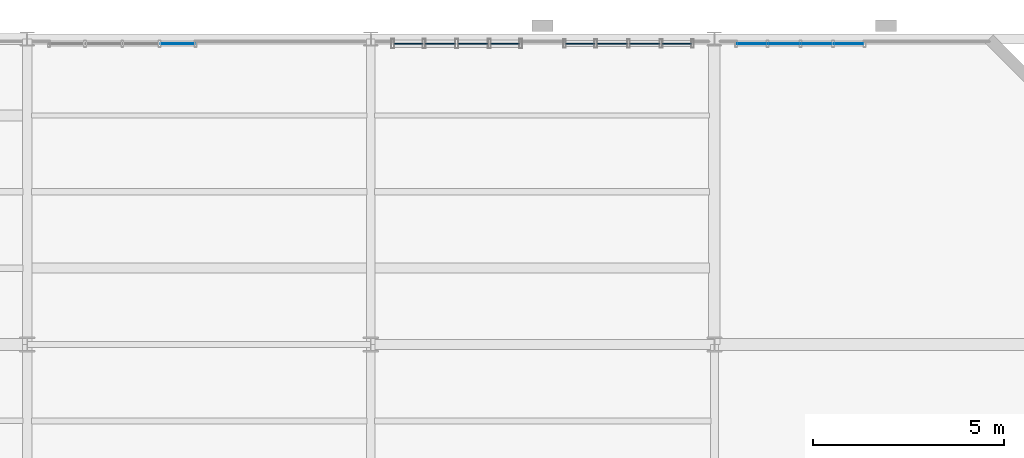
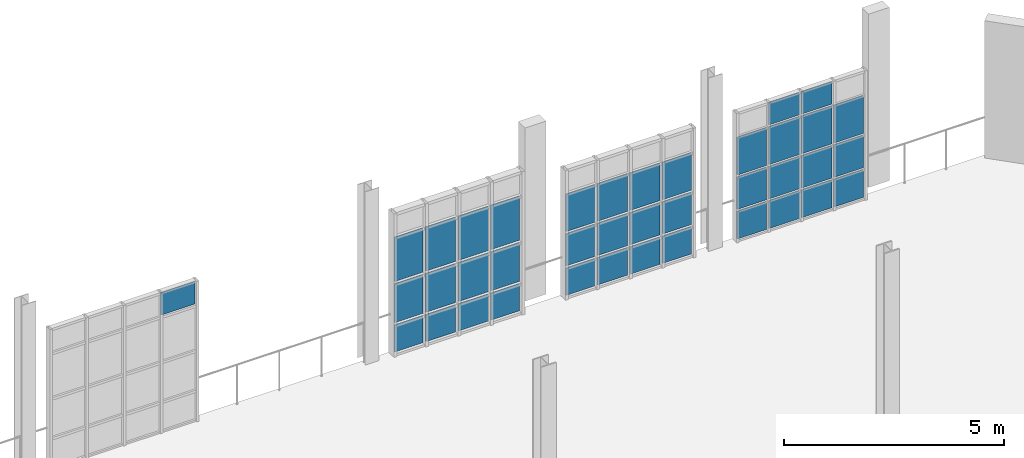
# One storey, part 90 of 122: 39 plates, 4 elements without a shape of their own.
"""IFC4 building model written with IfcOpenShell, lengths in metres."""

from ifc_helpers import new_model, si_unit, direction, frame, origin, origin_2d, place, context, subcontext, project, spatial, rectangle, extrude, material, layer, layer_set, type_object, element, aggregate, save


model = new_model("IFC4")

# Units and contexts
model_context = context("Model", 3, precision=1e-05, world=origin(), true_north=direction((0.0, 1.0)))
body_context = subcontext(model_context, "Body", "Model", "MODEL_VIEW")
ifc_project = project(units=[si_unit("LENGTHUNIT", "METRE"), si_unit("AREAUNIT", "SQUARE_METRE"), si_unit("VOLUMEUNIT", "CUBIC_METRE"), si_unit("PLANEANGLEUNIT", "RADIAN"), si_unit("MASSUNIT", "GRAM", prefix="KILO"), si_unit("THERMODYNAMICTEMPERATUREUNIT", "KELVIN"), si_unit("POWERUNIT", "WATT")], contexts=[model_context])

# Site, building, storey
site_placement = place(None, origin())
site = spatial("IfcSite", under=ifc_project, at=site_placement, CompositionType="ELEMENT")
building_placement = place(site_placement, origin())
building = spatial("IfcBuilding", under=site, at=building_placement, Name="Zelmaris Science Centre", CompositionType="ELEMENT")
storey_placement = place(building_placement, frame((0.0, 0.0, 10.800048828125)))
storey = spatial("IfcBuildingStorey", under=building, at=storey_placement, Name="L02", CompositionType="ELEMENT", Elevation=10.800048828125)

# Curtain wall, plates
ifc_material_1 = material(Name="Anodised architectural aluminium 6063-T6", Category="aluminium")
ifc_layer_1 = layer(ifc_material_1, 0.18994140625, Name="Anodised architectural aluminium 6063-T6")
ifc_layer_set_1 = layer_set([ifc_layer_1], Name="Anodised architectural aluminium 6063-T6")
curtain_wall_type_1 = type_object("IfcCurtainWallType", Name="Curtain Wall CW-01", PredefinedType="USERDEFINED", material=ifc_layer_set_1)
curtain_wall_1_placement = place(storey_placement, origin())
curtain_wall_1 = element("IfcCurtainWall", 1, at=curtain_wall_1_placement, inside=storey, type_object=curtain_wall_type_1, Name="L02 Unitised curtain wall 213", ObjectType="GLAZED CURTAIN WALL", PredefinedType="USERDEFINED")
ifc_material_2 = material(Name="Laminated hurricane-rated low-E insulated glazing", Category="glass")
ifc_layer_2 = layer(ifc_material_2, 0.031982421875, Name="Laminated hurricane-rated low-E insulated glazing")
ifc_layer_set_2 = layer_set([ifc_layer_2], Name="Laminated hurricane-rated low-E insulated glazing")
plate_type_1 = type_object("IfcPlateType", Name="Curtain Glazing Panel CWP-1 32mm", PredefinedType="CURTAIN_PANEL", material=ifc_layer_set_2)
plate_1_placement = place(storey_placement, frame((90.985595703125, 87.8798828125, 0.05712890625), z_axis=(0.0, 0.0, 1.0), x_axis=(1.0, 0.0, 0.0)))
plate_1 = element("IfcPlate", 2, at=plate_1_placement, type_object=plate_type_1, Name="CW-01 panel 1.1", PredefinedType="CURTAIN_PANEL", context=body_context, shape_type="SweptSolid", body=[
    extrude(rectangle(XDim=0.7470703125, YDim=0.031982421875, at=origin_2d()), origin(), (0.0, 0.0, 1.0), 0.741943359375),
])
plate_2_placement = place(storey_placement, frame((90.985595703125, 87.8798828125, 0.87109375), z_axis=(0.0, 0.0, 1.0), x_axis=(1.0, 0.0, 0.0)))
plate_2 = element("IfcPlate", 3, at=plate_2_placement, type_object=plate_type_1, Name="CW-01 panel 1.2", PredefinedType="CURTAIN_PANEL", context=body_context, shape_type="SweptSolid", body=[
    extrude(rectangle(XDim=0.7470703125, YDim=0.031982421875, at=origin_2d()), origin(), (0.0, 0.0, 1.0), 1.069091796875),
])
plate_3_placement = place(storey_placement, frame((90.985595703125, 87.8798828125, 2.01171875), z_axis=(0.0, 0.0, 1.0), x_axis=(1.0, 0.0, 0.0)))
plate_3 = element("IfcPlate", 4, at=plate_3_placement, type_object=plate_type_1, Name="CW-01 panel 1.3", PredefinedType="CURTAIN_PANEL", context=body_context, shape_type="SweptSolid", body=[
    extrude(rectangle(XDim=0.7470703125, YDim=0.031982421875, at=origin_2d()), origin(), (0.0, 0.0, 1.0), 1.218994140625),
])
plate_4_placement = place(storey_placement, frame((91.822509765625, 87.8798828125, 0.05712890625), z_axis=(0.0, 0.0, 1.0), x_axis=(1.0, 0.0, 0.0)))
plate_4 = element("IfcPlate", 5, at=plate_4_placement, type_object=plate_type_1, Name="CW-01 panel 2.1", PredefinedType="CURTAIN_PANEL", context=body_context, shape_type="SweptSolid", body=[
    extrude(rectangle(XDim=0.782958984375, YDim=0.031982421875, at=origin_2d()), origin(), (0.0, 0.0, 1.0), 0.741943359375),
])
plate_5_placement = place(storey_placement, frame((91.822509765625, 87.8798828125, 0.87109375), z_axis=(0.0, 0.0, 1.0), x_axis=(1.0, 0.0, 0.0)))
plate_5 = element("IfcPlate", 6, at=plate_5_placement, type_object=plate_type_1, Name="CW-01 panel 2.2", PredefinedType="CURTAIN_PANEL", context=body_context, shape_type="SweptSolid", body=[
    extrude(rectangle(XDim=0.782958984375, YDim=0.031982421875, at=origin_2d()), origin(), (0.0, 0.0, 1.0), 1.069091796875),
])
plate_6_placement = place(storey_placement, frame((91.822509765625, 87.8798828125, 2.01171875), z_axis=(0.0, 0.0, 1.0), x_axis=(1.0, 0.0, 0.0)))
plate_6 = element("IfcPlate", 7, at=plate_6_placement, type_object=plate_type_1, Name="CW-01 panel 2.3", PredefinedType="CURTAIN_PANEL", context=body_context, shape_type="SweptSolid", body=[
    extrude(rectangle(XDim=0.782958984375, YDim=0.031982421875, at=origin_2d()), origin(), (0.0, 0.0, 1.0), 1.218994140625),
])
plate_7_placement = place(storey_placement, frame((92.677490234375, 87.8798828125, 0.05712890625), z_axis=(0.0, 0.0, 1.0), x_axis=(1.0, 0.0, 0.0)))
plate_7 = element("IfcPlate", 8, at=plate_7_placement, type_object=plate_type_1, Name="CW-01 panel 3.1", PredefinedType="CURTAIN_PANEL", context=body_context, shape_type="SweptSolid", body=[
    extrude(rectangle(XDim=0.782958984375, YDim=0.031982421875, at=origin_2d()), origin(), (0.0, 0.0, 1.0), 0.741943359375),
])
plate_8_placement = place(storey_placement, frame((92.677490234375, 87.8798828125, 0.87109375), z_axis=(0.0, 0.0, 1.0), x_axis=(1.0, 0.0, 0.0)))
plate_8 = element("IfcPlate", 9, at=plate_8_placement, type_object=plate_type_1, Name="CW-01 panel 3.2", PredefinedType="CURTAIN_PANEL", context=body_context, shape_type="SweptSolid", body=[
    extrude(rectangle(XDim=0.782958984375, YDim=0.031982421875, at=origin_2d()), origin(), (0.0, 0.0, 1.0), 1.069091796875),
])
plate_9_placement = place(storey_placement, frame((92.677490234375, 87.8798828125, 2.01171875), z_axis=(0.0, 0.0, 1.0), x_axis=(1.0, 0.0, 0.0)))
plate_9 = element("IfcPlate", 10, at=plate_9_placement, type_object=plate_type_1, Name="CW-01 panel 3.3", PredefinedType="CURTAIN_PANEL", context=body_context, shape_type="SweptSolid", body=[
    extrude(rectangle(XDim=0.782958984375, YDim=0.031982421875, at=origin_2d()), origin(), (0.0, 0.0, 1.0), 1.218994140625),
])
plate_10_placement = place(storey_placement, frame((93.514404296875, 87.8798828125, 0.05712890625), z_axis=(0.0, 0.0, 1.0), x_axis=(1.0, 0.0, 0.0)))
plate_10 = element("IfcPlate", 11, at=plate_10_placement, type_object=plate_type_1, Name="CW-01 panel 4.1", PredefinedType="CURTAIN_PANEL", context=body_context, shape_type="SweptSolid", body=[
    extrude(rectangle(XDim=0.7470703125, YDim=0.031982421875, at=origin_2d()), origin(), (0.0, 0.0, 1.0), 0.741943359375),
])
plate_11_placement = place(storey_placement, frame((93.514404296875, 87.8798828125, 0.87109375), z_axis=(0.0, 0.0, 1.0), x_axis=(1.0, 0.0, 0.0)))
plate_11 = element("IfcPlate", 12, at=plate_11_placement, type_object=plate_type_1, Name="CW-01 panel 4.2", PredefinedType="CURTAIN_PANEL", context=body_context, shape_type="SweptSolid", body=[
    extrude(rectangle(XDim=0.7470703125, YDim=0.031982421875, at=origin_2d()), origin(), (0.0, 0.0, 1.0), 1.069091796875),
])
plate_12_placement = place(storey_placement, frame((93.514404296875, 87.8798828125, 2.01171875), z_axis=(0.0, 0.0, 1.0), x_axis=(1.0, 0.0, 0.0)))
plate_12 = element("IfcPlate", 13, at=plate_12_placement, type_object=plate_type_1, Name="CW-01 panel 4.3", PredefinedType="CURTAIN_PANEL", context=body_context, shape_type="SweptSolid", body=[
    extrude(rectangle(XDim=0.7470703125, YDim=0.031982421875, at=origin_2d()), origin(), (0.0, 0.0, 1.0), 1.218994140625),
])
aggregate(curtain_wall_1, [plate_1, plate_2, plate_3, plate_4, plate_5, plate_6, plate_7, plate_8, plate_9, plate_10, plate_11, plate_12])

ifc_layer_3 = layer(ifc_material_1, 0.199951171875, Name="Anodised architectural aluminium 6063-T6")
ifc_layer_set_3 = layer_set([ifc_layer_3], Name="Anodised architectural aluminium 6063-T6")
curtain_wall_type_2 = type_object("IfcCurtainWallType", Name="Curtain Wall CW-02", PredefinedType="USERDEFINED", material=ifc_layer_set_3)
curtain_wall_2_placement = place(storey_placement, origin())
curtain_wall_2 = element("IfcCurtainWall", 14, at=curtain_wall_2_placement, inside=storey, type_object=curtain_wall_type_2, Name="L02 Unitised curtain wall 214", ObjectType="GLAZED CURTAIN WALL", PredefinedType="USERDEFINED")
ifc_layer_4 = layer(ifc_material_2, 0.028076171875, Name="Laminated hurricane-rated low-E insulated glazing")
ifc_layer_set_4 = layer_set([ifc_layer_4], Name="Laminated hurricane-rated low-E insulated glazing")
plate_type_2 = type_object("IfcPlateType", Name="Curtain Glazing Panel CWP-2 28mm", PredefinedType="CURTAIN_PANEL", material=ifc_layer_set_4)
plate_13_placement = place(storey_placement, frame((95.484130859375, 87.8798828125, 0.052001953125), z_axis=(0.0, 0.0, 1.0), x_axis=(1.0, 0.0, 0.0)))
plate_13 = element("IfcPlate", 15, at=plate_13_placement, type_object=plate_type_2, Name="CW-02 panel 1.1", PredefinedType="CURTAIN_PANEL", context=body_context, shape_type="SweptSolid", body=[
    extrude(rectangle(XDim=0.75439453125, YDim=0.028076171875, at=origin_2d()), origin(), (0.0, 0.0, 1.0), 0.74951171875),
])
plate_14_placement = place(storey_placement, frame((95.484130859375, 87.8798828125, 0.86865234375), z_axis=(0.0, 0.0, 1.0), x_axis=(1.0, 0.0, 0.0)))
plate_14 = element("IfcPlate", 16, at=plate_14_placement, type_object=plate_type_2, Name="CW-02 panel 1.2", PredefinedType="CURTAIN_PANEL", context=body_context, shape_type="SweptSolid", body=[
    extrude(rectangle(XDim=0.75439453125, YDim=0.028076171875, at=origin_2d()), origin(), (0.0, 0.0, 1.0), 0.883544921875),
])
plate_15_placement = place(storey_placement, frame((95.484130859375, 87.8798828125, 1.81884765625), z_axis=(0.0, 0.0, 1.0), x_axis=(1.0, 0.0, 0.0)))
plate_15 = element("IfcPlate", 17, at=plate_15_placement, type_object=plate_type_2, Name="CW-02 panel 1.3", PredefinedType="CURTAIN_PANEL", context=body_context, shape_type="SweptSolid", body=[
    extrude(rectangle(XDim=0.75439453125, YDim=0.028076171875, at=origin_2d()), origin(), (0.0, 0.0, 1.0), 1.033447265625),
])
plate_16_placement = place(storey_placement, frame((96.322509765625, 87.8798828125, 0.052001953125), z_axis=(0.0, 0.0, 1.0), x_axis=(1.0, 0.0, 0.0)))
plate_16 = element("IfcPlate", 18, at=plate_16_placement, type_object=plate_type_2, Name="CW-02 panel 2.1", PredefinedType="CURTAIN_PANEL", context=body_context, shape_type="SweptSolid", body=[
    extrude(rectangle(XDim=0.7880859375, YDim=0.028076171875, at=origin_2d()), origin(), (0.0, 0.0, 1.0), 0.74951171875),
])
plate_17_placement = place(storey_placement, frame((96.322509765625, 87.8798828125, 0.86865234375), z_axis=(0.0, 0.0, 1.0), x_axis=(1.0, 0.0, 0.0)))
plate_17 = element("IfcPlate", 19, at=plate_17_placement, type_object=plate_type_2, Name="CW-02 panel 2.2", PredefinedType="CURTAIN_PANEL", context=body_context, shape_type="SweptSolid", body=[
    extrude(rectangle(XDim=0.7880859375, YDim=0.028076171875, at=origin_2d()), origin(), (0.0, 0.0, 1.0), 0.883544921875),
])
plate_18_placement = place(storey_placement, frame((96.322509765625, 87.8798828125, 1.81884765625), z_axis=(0.0, 0.0, 1.0), x_axis=(1.0, 0.0, 0.0)))
plate_18 = element("IfcPlate", 20, at=plate_18_placement, type_object=plate_type_2, Name="CW-02 panel 2.3", PredefinedType="CURTAIN_PANEL", context=body_context, shape_type="SweptSolid", body=[
    extrude(rectangle(XDim=0.7880859375, YDim=0.028076171875, at=origin_2d()), origin(), (0.0, 0.0, 1.0), 1.033447265625),
])
plate_19_placement = place(storey_placement, frame((97.177490234375, 87.8798828125, 0.052001953125), z_axis=(0.0, 0.0, 1.0), x_axis=(1.0, 0.0, 0.0)))
plate_19 = element("IfcPlate", 21, at=plate_19_placement, type_object=plate_type_2, Name="CW-02 panel 3.1", PredefinedType="CURTAIN_PANEL", context=body_context, shape_type="SweptSolid", body=[
    extrude(rectangle(XDim=0.7880859375, YDim=0.028076171875, at=origin_2d()), origin(), (0.0, 0.0, 1.0), 0.74951171875),
])
plate_20_placement = place(storey_placement, frame((97.177490234375, 87.8798828125, 0.86865234375), z_axis=(0.0, 0.0, 1.0), x_axis=(1.0, 0.0, 0.0)))
plate_20 = element("IfcPlate", 22, at=plate_20_placement, type_object=plate_type_2, Name="CW-02 panel 3.2", PredefinedType="CURTAIN_PANEL", context=body_context, shape_type="SweptSolid", body=[
    extrude(rectangle(XDim=0.7880859375, YDim=0.028076171875, at=origin_2d()), origin(), (0.0, 0.0, 1.0), 0.883544921875),
])
plate_21_placement = place(storey_placement, frame((97.177490234375, 87.8798828125, 1.81884765625), z_axis=(0.0, 0.0, 1.0), x_axis=(1.0, 0.0, 0.0)))
plate_21 = element("IfcPlate", 23, at=plate_21_placement, type_object=plate_type_2, Name="CW-02 panel 3.3", PredefinedType="CURTAIN_PANEL", context=body_context, shape_type="SweptSolid", body=[
    extrude(rectangle(XDim=0.7880859375, YDim=0.028076171875, at=origin_2d()), origin(), (0.0, 0.0, 1.0), 1.033447265625),
])
plate_22_placement = place(storey_placement, frame((98.015869140625, 87.8798828125, 0.052001953125), z_axis=(0.0, 0.0, 1.0), x_axis=(1.0, 0.0, 0.0)))
plate_22 = element("IfcPlate", 24, at=plate_22_placement, type_object=plate_type_2, Name="CW-02 panel 4.1", PredefinedType="CURTAIN_PANEL", context=body_context, shape_type="SweptSolid", body=[
    extrude(rectangle(XDim=0.75439453125, YDim=0.028076171875, at=origin_2d()), origin(), (0.0, 0.0, 1.0), 0.74951171875),
])
plate_23_placement = place(storey_placement, frame((98.015869140625, 87.8798828125, 0.86865234375), z_axis=(0.0, 0.0, 1.0), x_axis=(1.0, 0.0, 0.0)))
plate_23 = element("IfcPlate", 25, at=plate_23_placement, type_object=plate_type_2, Name="CW-02 panel 4.2", PredefinedType="CURTAIN_PANEL", context=body_context, shape_type="SweptSolid", body=[
    extrude(rectangle(XDim=0.75439453125, YDim=0.028076171875, at=origin_2d()), origin(), (0.0, 0.0, 1.0), 0.883544921875),
])
plate_24_placement = place(storey_placement, frame((98.015869140625, 87.8798828125, 1.81884765625), z_axis=(0.0, 0.0, 1.0), x_axis=(1.0, 0.0, 0.0)))
plate_24 = element("IfcPlate", 26, at=plate_24_placement, type_object=plate_type_2, Name="CW-02 panel 4.3", PredefinedType="CURTAIN_PANEL", context=body_context, shape_type="SweptSolid", body=[
    extrude(rectangle(XDim=0.75439453125, YDim=0.028076171875, at=origin_2d()), origin(), (0.0, 0.0, 1.0), 1.033447265625),
])
aggregate(curtain_wall_2, [plate_13, plate_14, plate_15, plate_16, plate_17, plate_18, plate_19, plate_20, plate_21, plate_22, plate_23, plate_24])

# Curtain wall, plate
ifc_layer_5 = layer(ifc_material_1, 0.2099609375, Name="Anodised architectural aluminium 6063-T6")
ifc_layer_set_5 = layer_set([ifc_layer_5], Name="Anodised architectural aluminium 6063-T6")
curtain_wall_type_3 = type_object("IfcCurtainWallType", Name="Curtain Wall CW-03", PredefinedType="USERDEFINED", material=ifc_layer_set_5)
curtain_wall_3_placement = place(storey_placement, origin())
curtain_wall_3 = element("IfcCurtainWall", 27, at=curtain_wall_3_placement, inside=storey, type_object=curtain_wall_type_3, Name="L02 Unitised curtain wall 211", ObjectType="GLAZED CURTAIN WALL", PredefinedType="USERDEFINED")
ifc_layer_6 = layer(ifc_material_2, 0.02587890625, Name="Laminated hurricane-rated low-E insulated glazing")
ifc_layer_set_6 = layer_set([ifc_layer_6], Name="Laminated hurricane-rated low-E insulated glazing")
plate_type_3 = type_object("IfcPlateType", Name="Curtain Glazing Panel CWP-3 26mm", PredefinedType="CURTAIN_PANEL", material=ifc_layer_set_6)
plate_25_placement = place(storey_placement, frame((84.938232421875, 87.8798828125, 3.2216796875), z_axis=(0.0, 0.0, 1.0), x_axis=(1.0, 0.0, 0.0)))
plate_25 = element("IfcPlate", 28, at=plate_25_placement, type_object=plate_type_3, Name="CW-03 panel 4.4", PredefinedType="CURTAIN_PANEL", context=body_context, shape_type="SweptSolid", body=[
    extrude(rectangle(XDim=0.889404296875, YDim=0.02587890625, at=origin_2d()), origin(), (0.0, 0.0, 1.0), 0.614501953125),
])
aggregate(curtain_wall_3, [plate_25])

# Curtain wall, plates
curtain_wall_4_placement = place(storey_placement, origin())
curtain_wall_4 = element("IfcCurtainWall", 29, at=curtain_wall_4_placement, inside=storey, type_object=curtain_wall_type_3, Name="L02 Unitised curtain wall 215", ObjectType="GLAZED CURTAIN WALL", PredefinedType="USERDEFINED")
plate_26_placement = place(storey_placement, frame((99.981689453125, 87.8798828125, 0.0419921875), z_axis=(0.0, 0.0, 1.0), x_axis=(1.0, 0.0, 0.0)))
plate_26 = element("IfcPlate", 30, at=plate_26_placement, type_object=plate_type_3, Name="CW-03 panel 1.1", PredefinedType="CURTAIN_PANEL", context=body_context, shape_type="SweptSolid", body=[
    extrude(rectangle(XDim=0.76953125, YDim=0.02587890625, at=origin_2d()), origin(), (0.0, 0.0, 1.0), 0.764404296875),
])
plate_27_placement = place(storey_placement, frame((99.981689453125, 87.8798828125, 0.863525390625), z_axis=(0.0, 0.0, 1.0), x_axis=(1.0, 0.0, 0.0)))
plate_27 = element("IfcPlate", 31, at=plate_27_placement, type_object=plate_type_3, Name="CW-03 panel 1.2", PredefinedType="CURTAIN_PANEL", context=body_context, shape_type="SweptSolid", body=[
    extrude(rectangle(XDim=0.76953125, YDim=0.02587890625, at=origin_2d()), origin(), (0.0, 0.0, 1.0), 0.8935546875),
])
plate_28_placement = place(storey_placement, frame((99.981689453125, 87.8798828125, 1.81396484375), z_axis=(0.0, 0.0, 1.0), x_axis=(1.0, 0.0, 0.0)))
plate_28 = element("IfcPlate", 32, at=plate_28_placement, type_object=plate_type_3, Name="CW-03 panel 1.3", PredefinedType="CURTAIN_PANEL", context=body_context, shape_type="SweptSolid", body=[
    extrude(rectangle(XDim=0.76953125, YDim=0.02587890625, at=origin_2d()), origin(), (0.0, 0.0, 1.0), 1.04345703125),
])
plate_29_placement = place(storey_placement, frame((100.822509765625, 87.8798828125, 0.0419921875), z_axis=(0.0, 0.0, 1.0), x_axis=(1.0, 0.0, 0.0)))
plate_29 = element("IfcPlate", 33, at=plate_29_placement, type_object=plate_type_3, Name="CW-03 panel 2.1", PredefinedType="CURTAIN_PANEL", context=body_context, shape_type="SweptSolid", body=[
    extrude(rectangle(XDim=0.798095703125, YDim=0.02587890625, at=origin_2d()), origin(), (0.0, 0.0, 1.0), 0.764404296875),
])
plate_30_placement = place(storey_placement, frame((100.822509765625, 87.8798828125, 0.863525390625), z_axis=(0.0, 0.0, 1.0), x_axis=(1.0, 0.0, 0.0)))
plate_30 = element("IfcPlate", 34, at=plate_30_placement, type_object=plate_type_3, Name="CW-03 panel 2.2", PredefinedType="CURTAIN_PANEL", context=body_context, shape_type="SweptSolid", body=[
    extrude(rectangle(XDim=0.798095703125, YDim=0.02587890625, at=origin_2d()), origin(), (0.0, 0.0, 1.0), 0.8935546875),
])
plate_31_placement = place(storey_placement, frame((100.822509765625, 87.8798828125, 1.81396484375), z_axis=(0.0, 0.0, 1.0), x_axis=(1.0, 0.0, 0.0)))
plate_31 = element("IfcPlate", 35, at=plate_31_placement, type_object=plate_type_3, Name="CW-03 panel 2.3", PredefinedType="CURTAIN_PANEL", context=body_context, shape_type="SweptSolid", body=[
    extrude(rectangle(XDim=0.798095703125, YDim=0.02587890625, at=origin_2d()), origin(), (0.0, 0.0, 1.0), 1.04345703125),
])
plate_32_placement = place(storey_placement, frame((100.822509765625, 87.8798828125, 2.91455078125), z_axis=(0.0, 0.0, 1.0), x_axis=(1.0, 0.0, 0.0)))
plate_32 = element("IfcPlate", 36, at=plate_32_placement, type_object=plate_type_3, Name="CW-03 panel 2.4", PredefinedType="CURTAIN_PANEL", context=body_context, shape_type="SweptSolid", body=[
    extrude(rectangle(XDim=0.798095703125, YDim=0.02587890625, at=origin_2d()), origin(), (0.0, 0.0, 1.0), 0.614501953125),
])
plate_33_placement = place(storey_placement, frame((101.677490234375, 87.8798828125, 0.0419921875), z_axis=(0.0, 0.0, 1.0), x_axis=(1.0, 0.0, 0.0)))
plate_33 = element("IfcPlate", 37, at=plate_33_placement, type_object=plate_type_3, Name="CW-03 panel 3.1", PredefinedType="CURTAIN_PANEL", context=body_context, shape_type="SweptSolid", body=[
    extrude(rectangle(XDim=0.798095703125, YDim=0.02587890625, at=origin_2d()), origin(), (0.0, 0.0, 1.0), 0.764404296875),
])
plate_34_placement = place(storey_placement, frame((101.677490234375, 87.8798828125, 0.863525390625), z_axis=(0.0, 0.0, 1.0), x_axis=(1.0, 0.0, 0.0)))
plate_34 = element("IfcPlate", 38, at=plate_34_placement, type_object=plate_type_3, Name="CW-03 panel 3.2", PredefinedType="CURTAIN_PANEL", context=body_context, shape_type="SweptSolid", body=[
    extrude(rectangle(XDim=0.798095703125, YDim=0.02587890625, at=origin_2d()), origin(), (0.0, 0.0, 1.0), 0.8935546875),
])
plate_35_placement = place(storey_placement, frame((101.677490234375, 87.8798828125, 1.81396484375), z_axis=(0.0, 0.0, 1.0), x_axis=(1.0, 0.0, 0.0)))
plate_35 = element("IfcPlate", 39, at=plate_35_placement, type_object=plate_type_3, Name="CW-03 panel 3.3", PredefinedType="CURTAIN_PANEL", context=body_context, shape_type="SweptSolid", body=[
    extrude(rectangle(XDim=0.798095703125, YDim=0.02587890625, at=origin_2d()), origin(), (0.0, 0.0, 1.0), 1.04345703125),
])
plate_36_placement = place(storey_placement, frame((101.677490234375, 87.8798828125, 2.91455078125), z_axis=(0.0, 0.0, 1.0), x_axis=(1.0, 0.0, 0.0)))
plate_36 = element("IfcPlate", 40, at=plate_36_placement, type_object=plate_type_3, Name="CW-03 panel 3.4", PredefinedType="CURTAIN_PANEL", context=body_context, shape_type="SweptSolid", body=[
    extrude(rectangle(XDim=0.798095703125, YDim=0.02587890625, at=origin_2d()), origin(), (0.0, 0.0, 1.0), 0.614501953125),
])
plate_37_placement = place(storey_placement, frame((102.518310546875, 87.8798828125, 0.0419921875), z_axis=(0.0, 0.0, 1.0), x_axis=(1.0, 0.0, 0.0)))
plate_37 = element("IfcPlate", 41, at=plate_37_placement, type_object=plate_type_3, Name="CW-03 panel 4.1", PredefinedType="CURTAIN_PANEL", context=body_context, shape_type="SweptSolid", body=[
    extrude(rectangle(XDim=0.76953125, YDim=0.02587890625, at=origin_2d()), origin(), (0.0, 0.0, 1.0), 0.764404296875),
])
plate_38_placement = place(storey_placement, frame((102.518310546875, 87.8798828125, 0.863525390625), z_axis=(0.0, 0.0, 1.0), x_axis=(1.0, 0.0, 0.0)))
plate_38 = element("IfcPlate", 42, at=plate_38_placement, type_object=plate_type_3, Name="CW-03 panel 4.2", PredefinedType="CURTAIN_PANEL", context=body_context, shape_type="SweptSolid", body=[
    extrude(rectangle(XDim=0.76953125, YDim=0.02587890625, at=origin_2d()), origin(), (0.0, 0.0, 1.0), 0.8935546875),
])
plate_39_placement = place(storey_placement, frame((102.518310546875, 87.8798828125, 1.81396484375), z_axis=(0.0, 0.0, 1.0), x_axis=(1.0, 0.0, 0.0)))
plate_39 = element("IfcPlate", 43, at=plate_39_placement, type_object=plate_type_3, Name="CW-03 panel 4.3", PredefinedType="CURTAIN_PANEL", context=body_context, shape_type="SweptSolid", body=[
    extrude(rectangle(XDim=0.76953125, YDim=0.02587890625, at=origin_2d()), origin(), (0.0, 0.0, 1.0), 1.04345703125),
])
aggregate(curtain_wall_4, [plate_26, plate_27, plate_28, plate_29, plate_30, plate_31, plate_32, plate_33, plate_34, plate_35, plate_36, plate_37, plate_38, plate_39])

save(model, "model.ifc")
